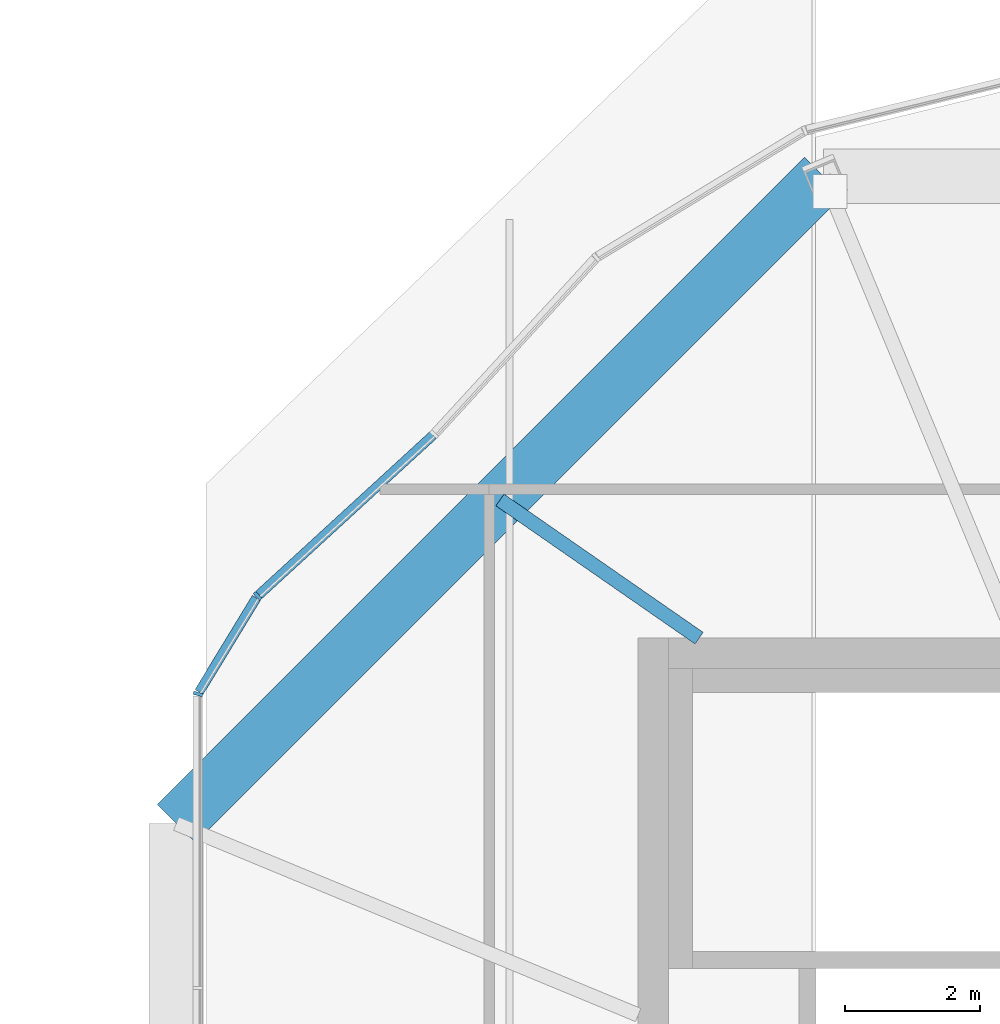
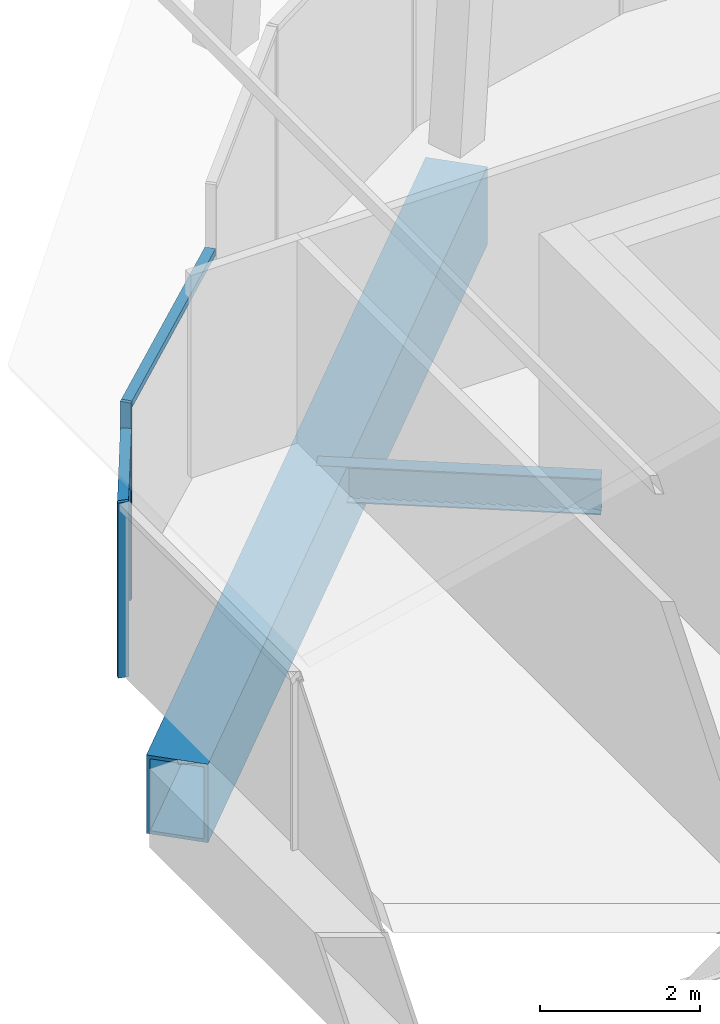
# One storey, part 6 of 23: 4 members, 2 beams, 2 elements without a shape of their own.
"""IFC4 building model written with IfcOpenShell, lengths in metres."""

import ifcopenshell
import ifcopenshell.guid

model = None  # the IFC model being written
_history = None  # IfcOwnerHistory: only IFC2X3 demands one
_inside = {}  # id of a spatial element -> (the spatial element, [elements in it])
_under = {}  # id of a project, library or spatial element -> (it, [spatial elements below it])
_declared = {}  # id of a project -> (the project, [libraries it declares])
_typed = {}  # id of a type object -> (the type object, [elements of that type])
_made_of = {}  # id of a material, layer set ... -> (it, [elements and type objects made of it])


def new_model(schema):
    """Start an empty IFC model of exactly this schema.

    Asked for "IFC4X3", IfcOpenShell would pick the latest addendum, in which some entities
    have other attributes; the version numbers below select the first issue.
    IFC2X3 requires an IfcOwnerHistory on every rooted entity: one is made here for all.
    """
    global model, _history
    if schema == "IFC4X3":
        model = ifcopenshell.file(schema_version=(4, 3, 0, 0))
    else:
        model = ifcopenshell.file(schema=schema)
    _inside.clear()
    _under.clear()
    _declared.clear()
    _typed.clear()
    _made_of.clear()
    _history = None
    if model.schema == "IFC2X3":
        org = make("IfcOrganization", Name="unknown")
        user = make(
            "IfcPersonAndOrganization",
            ThePerson=make("IfcPerson", FamilyName="unknown"),
            TheOrganization=org,
        )
        app = make(
            "IfcApplication",
            ApplicationDeveloper=org,
            Version="unknown",
            ApplicationFullName="unknown",
            ApplicationIdentifier="unknown",
        )
        _history = make(
            "IfcOwnerHistory",
            OwningUser=user,
            OwningApplication=app,
            ChangeAction="ADDED",
            CreationDate=0,
        )
    return model


def make(cls, **values):
    """One entity of the class cls with the attributes given. An attribute that is None is left unset."""
    return model.create_entity(
        cls, **{name: value for name, value in values.items() if value is not None}
    )


def rooted(cls, **values):
    """An entity with a GlobalId (a new one), such as an element, a storey or a relation."""
    return make(cls, GlobalId=ifcopenshell.guid.new(), OwnerHistory=_history, **values)


def si_unit(unit_type, name, prefix=None):
    """IfcSIUnit, for example si_unit("LENGTHUNIT", "METRE", prefix="MILLI")."""
    return make("IfcSIUnit", UnitType=unit_type, Prefix=prefix, Name=name)


def assignment(units):
    """IfcUnitAssignment: the units of a project."""
    return None if units is None else make("IfcUnitAssignment", Units=units)


def point(xyz):
    """IfcCartesianPoint."""
    return None if xyz is None else make("IfcCartesianPoint", Coordinates=xyz)


def direction(xyz):
    """IfcDirection."""
    return None if xyz is None else make("IfcDirection", DirectionRatios=xyz)


def frame(location, z_axis=None, x_axis=None):
    """IfcAxis2Placement3D, a coordinate frame: its origin and axes. An axis left out is left unset."""
    return make(
        "IfcAxis2Placement3D",
        Location=point(location),
        Axis=direction(z_axis),
        RefDirection=direction(x_axis),
    )


def frame_2d(location, x_axis=None):
    """IfcAxis2Placement2D, a coordinate frame in the plane: its origin and x axis."""
    return make(
        "IfcAxis2Placement2D", Location=point(location), RefDirection=direction(x_axis)
    )


def origin():
    """The frame at (0, 0, 0) with its axes left unset."""
    return frame((0.0, 0.0, 0.0))


def origin_2d():
    """The frame at (0, 0) in the plane with its x axis left unset."""
    return frame_2d((0.0, 0.0))


def place(relative_to, where):
    """IfcLocalPlacement: puts the frame where relative to a parent placement (None: the world)."""
    return make(
        "IfcLocalPlacement", PlacementRelTo=relative_to, RelativePlacement=where
    )


def context(
    kind, dimensions, precision=None, world=None, true_north=None, identifier=None
):
    """IfcGeometricRepresentationContext, for example the 3D "Model" context."""
    return make(
        "IfcGeometricRepresentationContext",
        ContextIdentifier=identifier,
        ContextType=kind,
        CoordinateSpaceDimension=dimensions,
        Precision=precision,
        WorldCoordinateSystem=world,
        TrueNorth=true_north,
    )


def subcontext(parent, identifier, kind, view, scale=None):
    """IfcGeometricRepresentationSubContext, for example "Body" below "Model"."""
    return make(
        "IfcGeometricRepresentationSubContext",
        ContextIdentifier=identifier,
        ContextType=kind,
        ParentContext=parent,
        TargetScale=scale,
        TargetView=view,
    )


def project(units=None, contexts=None):
    """IfcProject with its units and contexts."""
    return rooted(
        "IfcProject",
        Name="project",
        RepresentationContexts=contexts,
        UnitsInContext=assignment(units),
    )


def spatial(cls, under=None, at=None, **own):
    """A site, building, storey or space (cls), placed at a placement, below another one or the project."""
    s = rooted(cls, ObjectPlacement=at, **own)
    if under is not None:
        _under.setdefault(under.id(), (under, []))[1].append(s)
    return s


def profile(cls, at=None, kind="AREA", **sizes):
    """A parametric profile (cls). Its sizes go by their IFC names, for example OverallWidth=200.0."""
    return make(cls, ProfileType=kind, Position=at, **sizes)


def rectangle(**sizes):
    """IfcRectangleProfileDef."""
    return profile("IfcRectangleProfileDef", **sizes)


def hollow_rectangle(**sizes):
    """IfcRectangleHollowProfileDef."""
    return profile("IfcRectangleHollowProfileDef", **sizes)


def i_section(**sizes):
    """IfcIShapeProfileDef."""
    return profile("IfcIShapeProfileDef", **sizes)


def extrude(swept, where, along, depth):
    """IfcExtrudedAreaSolid: the profile swept, set in the frame where, extruded along a direction by depth."""
    return make(
        "IfcExtrudedAreaSolid",
        SweptArea=swept,
        Position=where,
        ExtrudedDirection=direction(along),
        Depth=depth,
    )


def shape(context_of_items, identifier, shape_type, items):
    """IfcShapeRepresentation: the items that make up one representation, for example the "Body"."""
    return make(
        "IfcShapeRepresentation",
        ContextOfItems=context_of_items,
        RepresentationIdentifier=identifier,
        RepresentationType=shape_type,
        Items=items,
    )


def material(Name=None, Category=None):
    """IfcMaterial."""
    return make("IfcMaterial", Name=Name, Category=Category)


def material_profile(
    of_material, cross_section, Name=None, Category=None, Priority=None
):
    """IfcMaterialProfile: a cross section and its material."""
    return make(
        "IfcMaterialProfile",
        Name=Name,
        Material=of_material,
        Profile=cross_section,
        Priority=Priority,
        Category=Category,
    )


def profile_set(profiles, Name=None, composite=None):
    """IfcMaterialProfileSet."""
    return make(
        "IfcMaterialProfileSet",
        Name=Name,
        MaterialProfiles=profiles,
        CompositeProfile=composite,
    )


def made_of(thing, what):
    """Note that an element or type object is made of a material, layer set ...; save() writes the relation."""
    if what is not None:
        _made_of.setdefault(what.id(), (what, []))[1].append(thing)
    return thing


def type_object(cls, material=None, **own):
    """A type object (cls), such as IfcWallType, which elements share."""
    return made_of(rooted(cls, **own), material)


def element(
    cls,
    number,
    at=None,
    inside=None,
    cuts=None,
    type_object=None,
    material=None,
    context=None,
    identifier="Body",
    shape_type=None,
    held_by="IfcProductDefinitionShape",
    body=None,
    shapes=None,
    **own,
):
    """One element of the class cls, such as IfcWall. Its Tag is "e" and its number.

    at: its placement. inside: the storey or other place that contains it. cuts: it is an
    opening in that element (IfcRelVoidsElement). A single representation is given by context,
    identifier, shape_type and body (its items); several are given by shapes. held_by: the class
    of the entity that holds the representations. save() writes the other relations.
    """
    e = rooted(cls, Tag="e%d" % number, ObjectPlacement=at, **own)
    if body is not None:
        shapes = [shape(context, identifier, shape_type, body)]
    if shapes is not None:
        e.Representation = make(held_by, Representations=shapes)
    if inside is not None:
        _inside.setdefault(inside.id(), (inside, []))[1].append(e)
    if cuts is not None:
        rooted(
            "IfcRelVoidsElement", RelatingBuildingElement=cuts, RelatedOpeningElement=e
        )
    if type_object is not None:
        _typed.setdefault(type_object.id(), (type_object, []))[1].append(e)
    return made_of(e, material)


def aggregate(whole, parts):
    """IfcRelAggregates: a whole, such as a stair, and the parts it consists of."""
    return rooted("IfcRelAggregates", RelatingObject=whole, RelatedObjects=parts)


def save(model, path):
    """Write the relations noted so far, then the file.

    IfcRelAggregates (storeys below a building ...), IfcRelContainedInSpatialStructure (elements
    in a storey), IfcRelDefinesByType, IfcRelAssociatesMaterial and IfcRelDeclares: one each for
    every whole, place, type object, material and project.
    """
    for whole, parts in _under.values():
        aggregate(whole, parts)
    for where, things in _inside.values():
        rooted(
            "IfcRelContainedInSpatialStructure",
            RelatedElements=things,
            RelatingStructure=where,
        )
    for kind, things in _typed.values():
        rooted("IfcRelDefinesByType", RelatedObjects=things, RelatingType=kind)
    for what, things in _made_of.values():
        rooted("IfcRelAssociatesMaterial", RelatedObjects=things, RelatingMaterial=what)
    for by, libraries in _declared.values():
        rooted("IfcRelDeclares", RelatingContext=by, RelatedDefinitions=libraries)
    model.write(path)


model = new_model("IFC4")

# Units and contexts
model_context = context("Model", 3, precision=1e-05, world=origin(), true_north=direction((0.0, 1.0)))
body_context = subcontext(model_context, "Body", "Model", "MODEL_VIEW")
ifc_project = project(units=[si_unit("LENGTHUNIT", "METRE"), si_unit("AREAUNIT", "SQUARE_METRE"), si_unit("VOLUMEUNIT", "CUBIC_METRE"), si_unit("PLANEANGLEUNIT", "RADIAN"), si_unit("MASSUNIT", "GRAM", prefix="KILO")], contexts=[model_context])

# Site, building, storey
site_placement = place(None, origin())
site = spatial("IfcSite", under=ifc_project, at=site_placement, CompositionType="ELEMENT")
building_placement = place(site_placement, origin())
building = spatial("IfcBuilding", under=site, at=building_placement, Name="Ogive Gate Towers", CompositionType="ELEMENT")
storey_placement = place(building_placement, frame((0.0, 0.0, 302.0)))
storey = spatial("IfcBuildingStorey", under=building, at=storey_placement, Name="L71", CompositionType="ELEMENT", Elevation=302.0)

# Curtain wall, member
ifc_material_1 = material(Name="Pale metal aluminium", Category="aluminium")
curtain_wall_type = type_object("IfcCurtainWallType", Name="Crown lean wall", PredefinedType="NOTDEFINED", material=ifc_material_1)
curtain_wall_1_placement = place(storey_placement, origin())
curtain_wall_1 = element("IfcCurtainWall", 1, at=curtain_wall_1_placement, inside=storey, type_object=curtain_wall_type, Name="CW5 T1 ECW04", PredefinedType="NOTDEFINED")
ifc_material_profile_1 = material_profile(ifc_material_1, rectangle(XDim=0.139892578125, YDim=0.050048828125, at=origin_2d()), Name="50 x 140 aluminium box")
ifc_profile_set_1 = profile_set([ifc_material_profile_1], Name="Pale metal aluminium")
member_type_1 = type_object("IfcMemberType", Name="Crown lean wall mullion 50 x 140", PredefinedType="MULLION", material=ifc_profile_set_1)
member_1_placement = place(storey_placement, frame((-51.118896484375, 10.12255859375, -0.300048828125), z_axis=(0.0, 0.0, 1.0), x_axis=(0.675796067943, -0.737088647689, 0.0)))
member_1 = element("IfcMember", 2, at=member_1_placement, type_object=member_type_1, Name="CW5 mullion", PredefinedType="MULLION", context=body_context, shape_type="SweptSolid", body=[
    extrude(rectangle(XDim=0.139892578125, YDim=0.050048828125, at=origin_2d()), origin(), (0.0, 0.0, 1.0), 3.025390625),
])

curtain_wall_2_placement = place(storey_placement, origin())
curtain_wall_2 = element("IfcCurtainWall", 3, at=curtain_wall_2_placement, inside=storey, type_object=curtain_wall_type, Name="CW5 T1 ECW04b", PredefinedType="NOTDEFINED")
member_2_placement = place(storey_placement, frame((-51.99951171875, 8.67578125, -0.300048828125), z_axis=(0.0, 0.0, 1.0), x_axis=(0.962866291826, -0.269978710392, 0.0)))
member_2 = element("IfcMember", 4, at=member_2_placement, type_object=member_type_1, Name="CW5 mullion", PredefinedType="MULLION", context=body_context, shape_type="SweptSolid", body=[
    extrude(rectangle(XDim=0.139892578125, YDim=0.050048828125, at=origin_2d()), origin(), (0.0, 0.0, 1.0), 2.679931640625),
])

# Member
ifc_material_profile_2 = material_profile(ifc_material_1, rectangle(XDim=0.139892578125, YDim=0.10009765625, at=origin_2d()), Name="100 x 140 aluminium box")
ifc_profile_set_2 = profile_set([ifc_material_profile_2], Name="Pale metal aluminium")
member_type_2 = type_object("IfcMemberType", Name="Crown lean wall transom 100 x 140", PredefinedType="USERDEFINED", material=ifc_profile_set_2)
member_3_placement = place(storey_placement, frame((-51.100341796875, 10.139404296875, 2.67529296875), z_axis=(0.73706986576, 0.675816552763, 0.0), x_axis=(-0.675816552763, 0.73706986576, 0.0)))
member_3 = element("IfcMember", 5, at=member_3_placement, type_object=member_type_2, Name="CW5 transom", ObjectType="TRANSOM", PredefinedType="USERDEFINED", context=body_context, shape_type="SweptSolid", body=[
    extrude(rectangle(XDim=0.139892578125, YDim=0.10009765625, at=origin_2d()), origin(), (0.0, 0.0, 1.0), 3.487548828125),
])

aggregate(curtain_wall_1, [member_1, member_3])

member_4_placement = place(storey_placement, frame((-51.983154296875, 8.70458984375, 2.285400390625), z_axis=(0.519846993653, 0.854259388704, 0.0), x_axis=(-0.854259388704, 0.519846993653, 0.0)))
member_4 = element("IfcMember", 6, at=member_4_placement, type_object=member_type_2, Name="CW5 transom", ObjectType="TRANSOM", PredefinedType="USERDEFINED", context=body_context, shape_type="SweptSolid", body=[
    extrude(rectangle(XDim=0.139892578125, YDim=0.10009765625, at=origin_2d()), origin(), (0.0, 0.0, 1.0), 1.627197265625),
])

aggregate(curtain_wall_2, [member_2, member_4])

# Beams
ifc_material_2 = material(Name="Steel SM460", Category="steel")
ifc_material_profile_3 = material_profile(ifc_material_2, hollow_rectangle(XDim=0.800048828125, YDim=1.199951171875, WallThickness=0.050048828125, at=origin_2d()), Name="BX 1200x800x50")
ifc_profile_set_3 = profile_set([ifc_material_profile_3], Name="Steel SM460")
beam_type_1 = type_object("IfcBeamType", Name="Edge girder BX 1200x800x50", PredefinedType="BEAM", material=ifc_profile_set_3)
beam_1_placement = place(storey_placement, frame((-42.760009765625, 16.3203125, -0.89990234375), z_axis=(-0.707106781187, -0.707106781187, 0.0), x_axis=(0.707106781187, -0.707106781187, 0.0)))
element("IfcBeam", 7, at=beam_1_placement, inside=storey, type_object=beam_type_1, Name="T1/L71/SBM023", PredefinedType="BEAM", context=body_context, shape_type="SweptSolid", body=[
    extrude(hollow_rectangle(XDim=0.800048828125, YDim=1.199951171875, WallThickness=0.050048828125, at=origin_2d()), origin(), (0.0, 0.0, 1.0), 13.520263671875),
])
ifc_material_3 = material(Name="Steel SM355", Category="steel")
ifc_material_profile_4 = material_profile(ifc_material_3, i_section(OverallWidth=0.2099609375, OverallDepth=0.550048828125, WebThickness=0.010986328125, FlangeThickness=0.01708984375, FilletRadius=0.02392578125, at=origin_2d()), Name="IPE 550")
ifc_profile_set_4 = profile_set([ifc_material_profile_4], Name="Steel SM355")
beam_type_2 = type_object("IfcBeamType", Name="Radial floor beam IPE 550", PredefinedType="BEAM", material=ifc_profile_set_4)
beam_2_placement = place(storey_placement, frame((-44.60009765625, 9.5, -0.574951171875), z_axis=(-0.821567898458, 0.570110680679, 0.0), x_axis=(-0.570110680679, -0.821567898458, 0.0)))
element("IfcBeam", 8, at=beam_2_placement, inside=storey, type_object=beam_type_2, Name="T1/L71/SBM014", PredefinedType="BEAM", context=body_context, shape_type="SweptSolid", body=[
    extrude(i_section(OverallWidth=0.2099609375, OverallDepth=0.550048828125, WebThickness=0.010986328125, FlangeThickness=0.01708984375, FilletRadius=0.02392578125, at=origin_2d()), origin(), (0.0, 0.0, 1.0), 3.578857421875),
])

save(model, "model.ifc")
